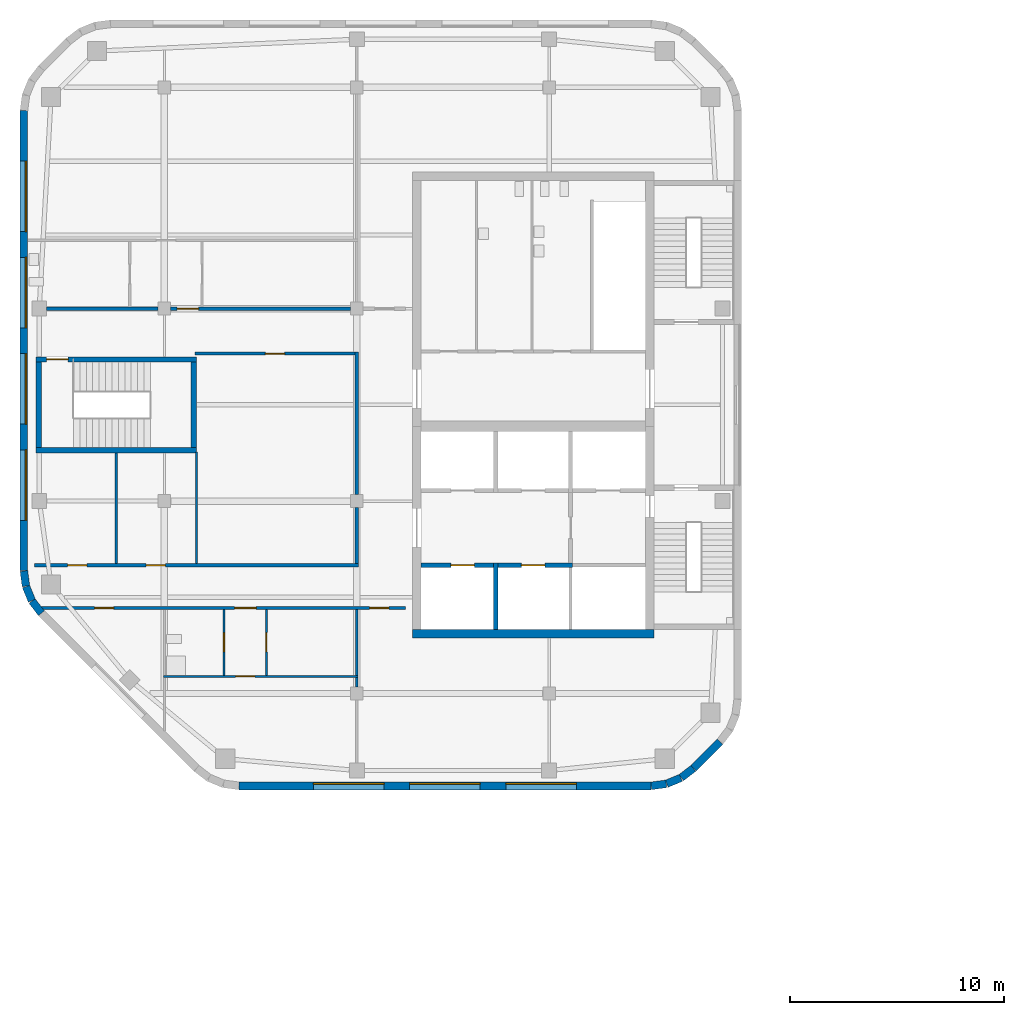
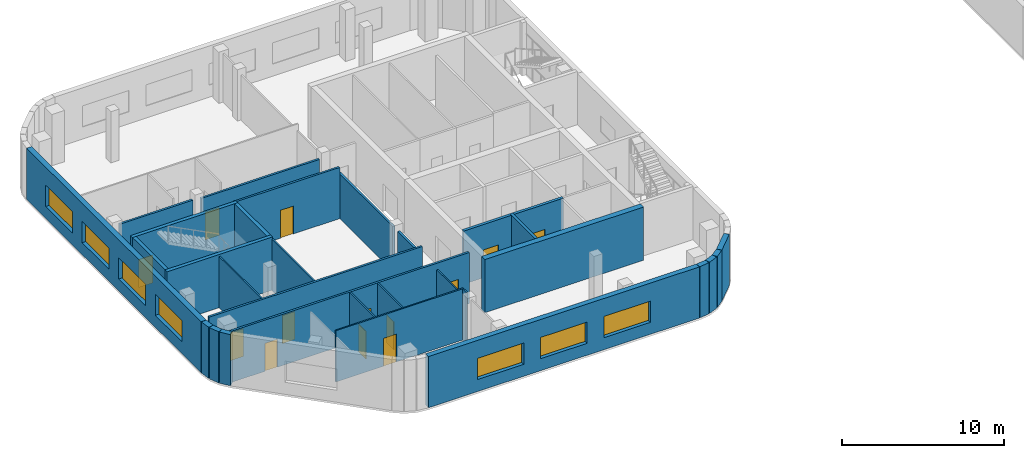
# One storey, part 5 of 14: 31 walls, 13 doors, 7 windows, 20 openings.
"""IFC4 building model written with IfcOpenShell, lengths in metres."""

from ifc_helpers import new_model, si_unit, direction, frame, frame_2d, origin, place, context, subcontext, project, spatial, rectangle, extrude, material, layer, layer_set, type_object, element, fill, save


model = new_model("IFC4")

# Units and contexts
model_context = context("Model", 3, precision=1e-05, world=origin(), true_north=direction((0.0, 1.0)))
body_context = subcontext(model_context, "Body", "Model", "MODEL_VIEW")
ifc_project = project(units=[si_unit("LENGTHUNIT", "METRE"), si_unit("AREAUNIT", "SQUARE_METRE"), si_unit("VOLUMEUNIT", "CUBIC_METRE"), si_unit("PLANEANGLEUNIT", "RADIAN"), si_unit("MASSUNIT", "GRAM", prefix="KILO")], contexts=[model_context])

# Site, building, storey
site_placement = place(None, origin())
site = spatial("IfcSite", under=ifc_project, at=site_placement, CompositionType="ELEMENT")
building_placement = place(site_placement, origin())
building = spatial("IfcBuilding", under=site, at=building_placement, Name="Cinnabar Reach Civic Tower", CompositionType="ELEMENT")
storey_placement = place(building_placement, frame((0.0, 0.0, 128.0)))
storey = spatial("IfcBuildingStorey", under=building, at=storey_placement, Name="L30", CompositionType="ELEMENT", Elevation=128.0)

# Walls
ifc_material_1 = material(Name="Facing brick with insulated backing", Category="masonry")
ifc_layer_1 = layer(ifc_material_1, 0.36)
ifc_layer_set_1 = layer_set([ifc_layer_1], Name="Brick corner wall")
wall_type_1 = type_object("IfcWallType", Name="Brick corner wall", PredefinedType="STANDARD", material=ifc_layer_set_1)
for number, where, z_axis, x_axis, name in (
    (1, (-31.2314, 13.683, 0.0), (0.0, 0.0, 1.0), (0.99144092581, 0.13055608231, 0.0), "Brick corner wall"),
    (2, (-30.5027, 13.7819, 0.0), (0.0, 0.0, 1.0), (0.923871547278, 0.382702709855, 0.0), "Brick corner wall"),
):
    element("IfcWall", number, at=place(storey_placement, frame(where, z_axis=z_axis, x_axis=x_axis)), inside=storey, type_object=wall_type_1, Name=name, PredefinedType="STANDARD", context=body_context, shape_type="SweptSolid", body=[
        extrude(rectangle(XDim=0.7131, YDim=0.36, at=frame_2d((0.3565, 0.0))), origin(), (0.0, 0.0, 1.0), 3.85),
    ])
wall_1_placement = place(storey_placement, frame((-29.8245, 14.066, 0.0), z_axis=(0.0, 0.0, 1.0), x_axis=(0.793321924995, 0.608802368033, 0.0)))
element("IfcWall", 3, at=wall_1_placement, inside=storey, type_object=wall_type_1, Name="Brick corner wall", PredefinedType="STANDARD", context=body_context, shape_type="SweptSolid", body=[
    extrude(rectangle(XDim=0.7132, YDim=0.36, at=frame_2d((0.3566, 0.0))), origin(), (0.0, 0.0, 1.0), 3.85),
])
for number, where, z_axis, x_axis, name in (
    (4, (-60.567, 23.7314, 0.0), (0.0, 0.0, 1.0), (0.13055608231, -0.99144092581, 0.0), "Brick corner wall"),
    (5, (-60.4681, 23.0027, 0.0), (0.0, 0.0, 1.0), (0.382702709855, -0.923871547278, 0.0), "Brick corner wall"),
):
    element("IfcWall", number, at=place(storey_placement, frame(where, z_axis=z_axis, x_axis=x_axis)), inside=storey, type_object=wall_type_1, Name=name, PredefinedType="STANDARD", context=body_context, shape_type="SweptSolid", body=[
        extrude(rectangle(XDim=0.7131, YDim=0.36, at=frame_2d((0.3565, 0.0))), origin(), (0.0, 0.0, 1.0), 3.85),
    ])
wall_2_placement = place(storey_placement, frame((-60.184, 22.3245, 0.0), z_axis=(0.0, 0.0, 1.0), x_axis=(0.608802368033, -0.793321924995, 0.0)))
element("IfcWall", 6, at=wall_2_placement, inside=storey, type_object=wall_type_1, Name="Brick corner wall", PredefinedType="STANDARD", context=body_context, shape_type="SweptSolid", body=[
    extrude(rectangle(XDim=0.7132, YDim=0.36, at=frame_2d((0.3566, 0.0))), origin(), (0.0, 0.0, 1.0), 3.85),
])

# Wall, openings, windows
ifc_layer_2 = layer(ifc_material_1, 0.36)
ifc_layer_set_2 = layer_set([ifc_layer_2], Name="Brick pier and spandrel wall")
wall_type_2 = type_object("IfcWallType", Name="Brick pier and spandrel wall", PredefinedType="STANDARD", material=ifc_layer_set_2)
wall_3_placement = place(storey_placement, frame((-50.5074, 13.68, 0.0), z_axis=(0.0, 0.0, 1.0), x_axis=(1.0, 0.0, 0.0)))
wall_3 = element("IfcWall", 7, at=wall_3_placement, inside=storey, type_object=wall_type_2, Name="Brick facade wall", PredefinedType="STANDARD", context=body_context, shape_type="SweptSolid", body=[
    extrude(rectangle(XDim=19.2648, YDim=0.36, at=frame_2d((9.6324, 0.0))), origin(), (0.0, 0.0, 1.0), 3.85),
])
opening_1_placement = place(wall_3_placement, frame((3.4824, 0.0, 0.9)))
opening_1 = element("IfcOpeningElement", 8, at=opening_1_placement, cuts=wall_3, Name="Opening W2765", PredefinedType="OPENING", context=body_context, shape_type="SweptSolid", body=[
    extrude(rectangle(XDim=3.3, YDim=1.6, at=frame_2d((1.65, 0.8))), frame((0.0, 0.19, 0.0), z_axis=(0.0, -1.0, 0.0), x_axis=(1.0, 0.0, 0.0)), (0.0, 0.0, 1.0), 0.38),
])
opening_2_placement = place(wall_3_placement, frame((7.9824, 0.0, 0.9)))
opening_2 = element("IfcOpeningElement", 9, at=opening_2_placement, cuts=wall_3, Name="Opening W2766", PredefinedType="OPENING", context=body_context, shape_type="SweptSolid", body=[
    extrude(rectangle(XDim=3.3, YDim=1.6, at=frame_2d((1.65, 0.8))), frame((0.0, 0.19, 0.0), z_axis=(0.0, -1.0, 0.0), x_axis=(1.0, 0.0, 0.0)), (0.0, 0.0, 1.0), 0.38),
])
opening_3_placement = place(wall_3_placement, frame((12.4824, 0.0, 0.9)))
opening_3 = element("IfcOpeningElement", 10, at=opening_3_placement, cuts=wall_3, Name="Opening W2767", PredefinedType="OPENING", context=body_context, shape_type="SweptSolid", body=[
    extrude(rectangle(XDim=3.3, YDim=1.6, at=frame_2d((1.65, 0.8))), frame((0.0, 0.19, 0.0), z_axis=(0.0, -1.0, 0.0), x_axis=(1.0, 0.0, 0.0)), (0.0, 0.0, 1.0), 0.38),
])
ifc_material_2 = material(Name="Clear double glazing in aluminium frame", Category="aluminium")
window_type = type_object("IfcWindowType", Name="Deep-set window A", PartitioningType="SINGLE_PANEL", PredefinedType="WINDOW", material=ifc_material_2)
window_1_placement = place(opening_1_placement, origin())
window_1 = element("IfcWindow", 11, at=window_1_placement, inside=storey, type_object=window_type, Name="Window south face", OverallHeight=1.6, OverallWidth=3.3, PartitioningType="SINGLE_PANEL", PredefinedType="WINDOW", context=body_context, shape_type="SweptSolid", body=[
    extrude(rectangle(XDim=3.3, YDim=1.6, at=frame_2d((1.65, 0.8))), frame((0.0, 0.13, 0.0), z_axis=(0.0, -1.0, 0.0), x_axis=(1.0, 0.0, 0.0)), (0.0, 0.0, 1.0), 0.06),
])
fill(opening_1, window_1)
window_2_placement = place(opening_2_placement, origin())
window_2 = element("IfcWindow", 12, at=window_2_placement, inside=storey, type_object=window_type, Name="Window south face", OverallHeight=1.6, OverallWidth=3.3, PartitioningType="SINGLE_PANEL", PredefinedType="WINDOW", context=body_context, shape_type="SweptSolid", body=[
    extrude(rectangle(XDim=3.3, YDim=1.6, at=frame_2d((1.65, 0.8))), frame((0.0, 0.13, 0.0), z_axis=(0.0, -1.0, 0.0), x_axis=(1.0, 0.0, 0.0)), (0.0, 0.0, 1.0), 0.06),
])
fill(opening_2, window_2)
window_3_placement = place(opening_3_placement, origin())
window_3 = element("IfcWindow", 13, at=window_3_placement, inside=storey, type_object=window_type, Name="Window south face", OverallHeight=1.6, OverallWidth=3.3, PartitioningType="SINGLE_PANEL", PredefinedType="WINDOW", context=body_context, shape_type="SweptSolid", body=[
    extrude(rectangle(XDim=3.3, YDim=1.6, at=frame_2d((1.65, 0.8))), frame((0.0, 0.13, 0.0), z_axis=(0.0, -1.0, 0.0), x_axis=(1.0, 0.0, 0.0)), (0.0, 0.0, 1.0), 0.06),
])
fill(opening_3, window_3)

# Wall
wall_4_placement = place(storey_placement, frame((-29.2486, 14.506, 0.0), z_axis=(0.0, 0.0, 1.0), x_axis=(0.707106781187, 0.707106781187, 0.0)))
element("IfcWall", 14, at=wall_4_placement, inside=storey, type_object=wall_type_2, Name="Brick facade wall", PredefinedType="STANDARD", context=body_context, shape_type="SweptSolid", body=[
    extrude(rectangle(XDim=1.7573, YDim=0.36, at=frame_2d((0.8787, 0.0))), origin(), (0.0, 0.0, 1.0), 3.85),
])

# Wall, openings, windows
wall_5_placement = place(storey_placement, frame((-60.57, 45.2574, 0.0), z_axis=(0.0, 0.0, 1.0), x_axis=(0.0, -1.0, 0.0)))
wall_5 = element("IfcWall", 15, at=wall_5_placement, inside=storey, type_object=wall_type_2, Name="Brick facade wall", PredefinedType="STANDARD", context=body_context, shape_type="SweptSolid", body=[
    extrude(rectangle(XDim=21.5148, YDim=0.36, at=frame_2d((10.7574, 0.0))), origin(), (0.0, 0.0, 1.0), 3.85),
])
opening_4_placement = place(wall_5_placement, frame((2.3574, 0.0, 0.9)))
opening_4 = element("IfcOpeningElement", 16, at=opening_4_placement, cuts=wall_5, Name="Opening W2774", PredefinedType="OPENING", context=body_context, shape_type="SweptSolid", body=[
    extrude(rectangle(XDim=3.3, YDim=1.6, at=frame_2d((1.65, 0.8))), frame((0.0, 0.19, 0.0), z_axis=(0.0, -1.0, 0.0), x_axis=(1.0, 0.0, 0.0)), (0.0, 0.0, 1.0), 0.38),
])
opening_5_placement = place(wall_5_placement, frame((6.8574, 0.0, 0.9)))
opening_5 = element("IfcOpeningElement", 17, at=opening_5_placement, cuts=wall_5, Name="Opening W2775", PredefinedType="OPENING", context=body_context, shape_type="SweptSolid", body=[
    extrude(rectangle(XDim=3.3, YDim=1.6, at=frame_2d((1.65, 0.8))), frame((0.0, 0.19, 0.0), z_axis=(0.0, -1.0, 0.0), x_axis=(1.0, 0.0, 0.0)), (0.0, 0.0, 1.0), 0.38),
])
opening_6_placement = place(wall_5_placement, frame((11.3574, 0.0, 0.9)))
opening_6 = element("IfcOpeningElement", 18, at=opening_6_placement, cuts=wall_5, Name="Opening W2776", PredefinedType="OPENING", context=body_context, shape_type="SweptSolid", body=[
    extrude(rectangle(XDim=3.3, YDim=1.6, at=frame_2d((1.65, 0.8))), frame((0.0, 0.19, 0.0), z_axis=(0.0, -1.0, 0.0), x_axis=(1.0, 0.0, 0.0)), (0.0, 0.0, 1.0), 0.38),
])
opening_7_placement = place(wall_5_placement, frame((15.8574, 0.0, 0.9)))
opening_7 = element("IfcOpeningElement", 19, at=opening_7_placement, cuts=wall_5, Name="Opening W2777", PredefinedType="OPENING", context=body_context, shape_type="SweptSolid", body=[
    extrude(rectangle(XDim=3.3, YDim=1.6, at=frame_2d((1.65, 0.8))), frame((0.0, 0.19, 0.0), z_axis=(0.0, -1.0, 0.0), x_axis=(1.0, 0.0, 0.0)), (0.0, 0.0, 1.0), 0.38),
])
window_4_placement = place(opening_4_placement, origin())
window_4 = element("IfcWindow", 20, at=window_4_placement, inside=storey, type_object=window_type, Name="Window west face", OverallHeight=1.6, OverallWidth=3.3, PartitioningType="SINGLE_PANEL", PredefinedType="WINDOW", context=body_context, shape_type="SweptSolid", body=[
    extrude(rectangle(XDim=3.3, YDim=1.6, at=frame_2d((1.65, 0.8))), frame((0.0, 0.13, 0.0), z_axis=(0.0, -1.0, 0.0), x_axis=(1.0, 0.0, 0.0)), (0.0, 0.0, 1.0), 0.06),
])
fill(opening_4, window_4)
window_5_placement = place(opening_5_placement, origin())
window_5 = element("IfcWindow", 21, at=window_5_placement, inside=storey, type_object=window_type, Name="Window west face", OverallHeight=1.6, OverallWidth=3.3, PartitioningType="SINGLE_PANEL", PredefinedType="WINDOW", context=body_context, shape_type="SweptSolid", body=[
    extrude(rectangle(XDim=3.3, YDim=1.6, at=frame_2d((1.65, 0.8))), frame((0.0, 0.13, 0.0), z_axis=(0.0, -1.0, 0.0), x_axis=(1.0, 0.0, 0.0)), (0.0, 0.0, 1.0), 0.06),
])
fill(opening_5, window_5)
window_6_placement = place(opening_6_placement, origin())
window_6 = element("IfcWindow", 22, at=window_6_placement, inside=storey, type_object=window_type, Name="Window west face", OverallHeight=1.6, OverallWidth=3.3, PartitioningType="SINGLE_PANEL", PredefinedType="WINDOW", context=body_context, shape_type="SweptSolid", body=[
    extrude(rectangle(XDim=3.3, YDim=1.6, at=frame_2d((1.65, 0.8))), frame((0.0, 0.13, 0.0), z_axis=(0.0, -1.0, 0.0), x_axis=(1.0, 0.0, 0.0)), (0.0, 0.0, 1.0), 0.06),
])
fill(opening_6, window_6)
window_7_placement = place(opening_7_placement, origin())
window_7 = element("IfcWindow", 23, at=window_7_placement, inside=storey, type_object=window_type, Name="Window west face", OverallHeight=1.6, OverallWidth=3.3, PartitioningType="SINGLE_PANEL", PredefinedType="WINDOW", context=body_context, shape_type="SweptSolid", body=[
    extrude(rectangle(XDim=3.3, YDim=1.6, at=frame_2d((1.65, 0.8))), frame((0.0, 0.13, 0.0), z_axis=(0.0, -1.0, 0.0), x_axis=(1.0, 0.0, 0.0)), (0.0, 0.0, 1.0), 0.06),
])
fill(opening_7, window_7)

# Wall
ifc_material_3 = material(Name="Concrete C60", Category="concrete")
ifc_layer_3 = layer(ifc_material_3, 0.4)
ifc_layer_set_3 = layer_set([ifc_layer_3], Name="Core wall 400 EI 180")
wall_type_3 = type_object("IfcWallType", Name="Core wall 400 EI 180", PredefinedType="SOLIDWALL", material=ifc_layer_set_3)
wall_6_placement = place(storey_placement, frame((-42.4, 20.8, 0.0), z_axis=(0.0, 0.0, 1.0), x_axis=(1.0, 0.0, 0.0)))
element("IfcWall", 24, at=wall_6_placement, inside=storey, type_object=wall_type_3, Name="Core wall T2 L30 S", PredefinedType="SOLIDWALL", context=body_context, shape_type="SweptSolid", body=[
    extrude(rectangle(XDim=11.3, YDim=0.4, at=frame_2d((5.65, 0.0))), origin(), (0.0, 0.0, 1.0), 4.0),
])

# Wall, opening, door
ifc_material_4 = material(Name="Gypsum board on steel studs, double layer", Category="steel")
ifc_layer_4 = layer(ifc_material_4, 0.15)
ifc_layer_set_4 = layer_set([ifc_layer_4], Name="Corridor wall 150 T2")
wall_type_4 = type_object("IfcWallType", Name="Corridor wall 150 T2", PredefinedType="PARTITIONING", material=ifc_layer_set_4)
wall_7_placement = place(storey_placement, frame((-53.7, 36.0, 0.0), z_axis=(0.0, 0.0, 1.0), x_axis=(1.0, 0.0, 0.0)))
wall_7 = element("IfcWall", 25, at=wall_7_placement, inside=storey, type_object=wall_type_4, Name="Corridor wall 2", PredefinedType="PARTITIONING", context=body_context, shape_type="SweptSolid", body=[
    extrude(rectangle(XDim=8.4, YDim=0.15, at=frame_2d((4.2, 0.0))), origin(), (0.0, 0.0, 1.0), 3.262),
])
opening_8_placement = place(wall_7_placement, frame((0.3, 0.0, 0.0)))
opening_8 = element("IfcOpeningElement", 26, at=opening_8_placement, cuts=wall_7, Name="Opening D7094", PredefinedType="OPENING", context=body_context, shape_type="SweptSolid", body=[
    extrude(rectangle(XDim=1.0, YDim=2.1, at=frame_2d((0.5, 1.05))), frame((0.0, 0.085, 0.0), z_axis=(0.0, -1.0, 0.0), x_axis=(1.0, 0.0, 0.0)), (0.0, 0.0, 1.0), 0.17),
])
ifc_material_5 = material(Name="Timber door leaf in steel frame", Category="steel")
door_type_1 = type_object("IfcDoorType", Name="Tenancy entrance door 1000 x 2100 T2", OperationType="SINGLE_SWING_LEFT", PredefinedType="DOOR", material=ifc_material_5)
door_1_placement = place(opening_8_placement, origin())
door_1 = element("IfcDoor", 27, at=door_1_placement, inside=storey, type_object=door_type_1, Name="Door D7094", OperationType="SINGLE_SWING_RIGHT", OverallHeight=2.1, OverallWidth=1.0, PredefinedType="DOOR", context=body_context, shape_type="SweptSolid", body=[
    extrude(rectangle(XDim=1.0, YDim=2.1, at=frame_2d((0.5, 1.05))), frame((0.0, 0.025, 0.0), z_axis=(0.0, -1.0, 0.0), x_axis=(1.0, 0.0, 0.0)), (0.0, 0.0, 1.0), 0.05),
])
fill(opening_8, door_1)

# Wall
wall_8_placement = place(storey_placement, frame((-59.5, 36.0, 0.0), z_axis=(0.0, 0.0, 1.0), x_axis=(1.0, 0.0, 0.0)))
element("IfcWall", 28, at=wall_8_placement, inside=storey, type_object=wall_type_4, Name="Corridor wall 3", PredefinedType="PARTITIONING", context=body_context, shape_type="SweptSolid", body=[
    extrude(rectangle(XDim=5.2, YDim=0.15, at=frame_2d((2.6, 0.0))), origin(), (0.0, 0.0, 1.0), 3.35),
])

# Wall, openings, doors
wall_9_placement = place(storey_placement, frame((-59.7657, 22.0, 0.0), z_axis=(0.0, 0.0, 1.0), x_axis=(1.0, 0.0, 0.0)))
wall_9 = element("IfcWall", 29, at=wall_9_placement, inside=storey, type_object=wall_type_4, Name="Corridor wall 4", PredefinedType="PARTITIONING", context=body_context, shape_type="SweptSolid", body=[
    extrude(rectangle(XDim=17.0407, YDim=0.15, at=frame_2d((8.5204, 0.0))), origin(), (0.0, 0.0, 1.0), 3.85),
])
opening_9_placement = place(wall_9_placement, frame((15.3657, 0.0, 0.0)))
opening_9 = element("IfcOpeningElement", 30, at=opening_9_placement, cuts=wall_9, Name="Opening D7085", PredefinedType="OPENING", context=body_context, shape_type="SweptSolid", body=[
    extrude(rectangle(XDim=0.9, YDim=2.1, at=frame_2d((0.45, 1.05))), frame((0.0, 0.085, 0.0), z_axis=(0.0, -1.0, 0.0), x_axis=(1.0, 0.0, 0.0)), (0.0, 0.0, 1.0), 0.17),
])
opening_10_placement = place(wall_9_placement, frame((2.5, 0.0, 0.0)))
opening_10 = element("IfcOpeningElement", 31, at=opening_10_placement, cuts=wall_9, Name="Opening D7086", PredefinedType="OPENING", context=body_context, shape_type="SweptSolid", body=[
    extrude(rectangle(XDim=0.9, YDim=2.1, at=frame_2d((0.45, 1.05))), frame((0.0, 0.085, 0.0), z_axis=(0.0, -1.0, 0.0), x_axis=(1.0, 0.0, 0.0)), (0.0, 0.0, 1.0), 0.17),
])
opening_11_placement = place(wall_9_placement, frame((9.0557, 0.0, 0.0)))
opening_11 = element("IfcOpeningElement", 32, at=opening_11_placement, cuts=wall_9, Name="Opening D7090", PredefinedType="OPENING", context=body_context, shape_type="SweptSolid", body=[
    extrude(rectangle(XDim=1.0, YDim=2.1, at=frame_2d((0.5, 1.05))), frame((0.0, 0.085, 0.0), z_axis=(0.0, -1.0, 0.0), x_axis=(1.0, 0.0, 0.0)), (0.0, 0.0, 1.0), 0.17),
])
door_type_2 = type_object("IfcDoorType", Name="Single swing door 900 x 2100 T2", OperationType="SINGLE_SWING_LEFT", PredefinedType="DOOR", material=ifc_material_5)
door_2_placement = place(opening_9_placement, frame((0.9, 0.0, 0.0), z_axis=(0.0, 0.0, 1.0), x_axis=(-1.0, 0.0, 0.0)))
door_2 = element("IfcDoor", 33, at=door_2_placement, inside=storey, type_object=door_type_2, Name="Door D7085", OperationType="SINGLE_SWING_RIGHT", OverallHeight=2.1, OverallWidth=0.9, PredefinedType="DOOR", context=body_context, shape_type="SweptSolid", body=[
    extrude(rectangle(XDim=0.9, YDim=2.1, at=frame_2d((0.45, 1.05))), frame((0.0, 0.025, 0.0), z_axis=(0.0, -1.0, 0.0), x_axis=(1.0, 0.0, 0.0)), (0.0, 0.0, 1.0), 0.05),
])
fill(opening_9, door_2)
door_3_placement = place(opening_10_placement, frame((0.9, 0.0, 0.0), z_axis=(0.0, 0.0, 1.0), x_axis=(-1.0, 0.0, 0.0)))
door_3 = element("IfcDoor", 34, at=door_3_placement, inside=storey, type_object=door_type_2, Name="Door D7086", OperationType="SINGLE_SWING_RIGHT", OverallHeight=2.1, OverallWidth=0.9, PredefinedType="DOOR", context=body_context, shape_type="SweptSolid", body=[
    extrude(rectangle(XDim=0.9, YDim=2.1, at=frame_2d((0.45, 1.05))), frame((0.0, 0.025, 0.0), z_axis=(0.0, -1.0, 0.0), x_axis=(1.0, 0.0, 0.0)), (0.0, 0.0, 1.0), 0.05),
])
fill(opening_10, door_3)
door_4_placement = place(opening_11_placement, frame((1.0, 0.0, 0.0), z_axis=(0.0, 0.0, 1.0), x_axis=(-1.0, 0.0, 0.0)))
door_4 = element("IfcDoor", 35, at=door_4_placement, inside=storey, type_object=door_type_1, Name="Door D7090", OperationType="SINGLE_SWING_LEFT", OverallHeight=2.1, OverallWidth=1.0, PredefinedType="DOOR", context=body_context, shape_type="SweptSolid", body=[
    extrude(rectangle(XDim=1.0, YDim=2.1, at=frame_2d((0.5, 1.05))), frame((0.0, 0.025, 0.0), z_axis=(0.0, -1.0, 0.0), x_axis=(1.0, 0.0, 0.0)), (0.0, 0.0, 1.0), 0.05),
])
fill(opening_11, door_4)

wall_10_placement = place(storey_placement, frame((-60.075, 24.0, 0.0), z_axis=(0.0, 0.0, 1.0), x_axis=(1.0, 0.0, 0.0)))
wall_10 = element("IfcWall", 36, at=wall_10_placement, inside=storey, type_object=wall_type_4, Name="Corridor wall 5", PredefinedType="PARTITIONING", context=body_context, shape_type="SweptSolid", body=[
    extrude(rectangle(XDim=15.15, YDim=0.15, at=frame_2d((7.575, 0.0))), origin(), (0.0, 0.0, 1.0), 3.85),
])
opening_12_placement = place(wall_10_placement, frame((1.55, 0.0, 0.0)))
opening_12 = element("IfcOpeningElement", 37, at=opening_12_placement, cuts=wall_10, Name="Opening D7095", PredefinedType="OPENING", context=body_context, shape_type="SweptSolid", body=[
    extrude(rectangle(XDim=0.9, YDim=2.1, at=frame_2d((0.45, 1.05))), frame((0.0, 0.085, 0.0), z_axis=(0.0, -1.0, 0.0), x_axis=(1.0, 0.0, 0.0)), (0.0, 0.0, 1.0), 0.17),
])
opening_13_placement = place(wall_10_placement, frame((5.225, 0.0, 0.0)))
opening_13 = element("IfcOpeningElement", 38, at=opening_13_placement, cuts=wall_10, Name="Opening D7096", PredefinedType="OPENING", context=body_context, shape_type="SweptSolid", body=[
    extrude(rectangle(XDim=0.9, YDim=2.1, at=frame_2d((0.45, 1.05))), frame((0.0, 0.085, 0.0), z_axis=(0.0, -1.0, 0.0), x_axis=(1.0, 0.0, 0.0)), (0.0, 0.0, 1.0), 0.17),
])
door_5_placement = place(opening_12_placement, origin())
door_5 = element("IfcDoor", 39, at=door_5_placement, inside=storey, type_object=door_type_2, Name="Door D7095", OperationType="SINGLE_SWING_LEFT", OverallHeight=2.1, OverallWidth=0.9, PredefinedType="DOOR", context=body_context, shape_type="SweptSolid", body=[
    extrude(rectangle(XDim=0.9, YDim=2.1, at=frame_2d((0.45, 1.05))), frame((0.0, 0.025, 0.0), z_axis=(0.0, -1.0, 0.0), x_axis=(1.0, 0.0, 0.0)), (0.0, 0.0, 1.0), 0.05),
])
fill(opening_12, door_5)
door_6_placement = place(opening_13_placement, origin())
door_6 = element("IfcDoor", 40, at=door_6_placement, inside=storey, type_object=door_type_2, Name="Door D7096", OperationType="SINGLE_SWING_LEFT", OverallHeight=2.1, OverallWidth=0.9, PredefinedType="DOOR", context=body_context, shape_type="SweptSolid", body=[
    extrude(rectangle(XDim=0.9, YDim=2.1, at=frame_2d((0.45, 1.05))), frame((0.0, 0.025, 0.0), z_axis=(0.0, -1.0, 0.0), x_axis=(1.0, 0.0, 0.0)), (0.0, 0.0, 1.0), 0.05),
])
fill(opening_13, door_6)

# Walls
wall_11_placement = place(storey_placement, frame((-45.0, 24.075, 0.0), z_axis=(0.0, 0.0, 1.0), x_axis=(0.0, 1.0, 0.0)))
element("IfcWall", 41, at=wall_11_placement, inside=storey, type_object=wall_type_4, Name="Corridor wall 6", PredefinedType="PARTITIONING", context=body_context, shape_type="SweptSolid", body=[
    extrude(rectangle(XDim=2.625, YDim=0.15, at=frame_2d((1.3125, 0.0))), origin(), (0.0, 0.0, 1.0), 3.362),
])
wall_12_placement = place(storey_placement, frame((-45.0, 27.3, 0.0), z_axis=(0.0, 0.0, 1.0), x_axis=(0.0, 1.0, 0.0)))
element("IfcWall", 42, at=wall_12_placement, inside=storey, type_object=wall_type_4, Name="Corridor wall 7", PredefinedType="PARTITIONING", context=body_context, shape_type="SweptSolid", body=[
    extrude(rectangle(XDim=6.675, YDim=0.15, at=frame_2d((3.3375, 0.0))), origin(), (0.0, 0.0, 1.0), 3.362),
])

# Wall, opening, door
wall_13_placement = place(storey_placement, frame((-52.575, 33.9, 0.0), z_axis=(0.0, 0.0, 1.0), x_axis=(1.0, 0.0, 0.0)))
wall_13 = element("IfcWall", 43, at=wall_13_placement, inside=storey, type_object=wall_type_4, Name="Corridor wall 8", PredefinedType="PARTITIONING", context=body_context, shape_type="SweptSolid", body=[
    extrude(rectangle(XDim=7.5, YDim=0.15, at=frame_2d((3.75, 0.0))), origin(), (0.0, 0.0, 1.0), 3.85),
])
opening_14_placement = place(wall_13_placement, frame((3.3, 0.0, 0.0)))
opening_14 = element("IfcOpeningElement", 44, at=opening_14_placement, cuts=wall_13, Name="Opening D7097", PredefinedType="OPENING", context=body_context, shape_type="SweptSolid", body=[
    extrude(rectangle(XDim=0.9, YDim=2.1, at=frame_2d((0.45, 1.05))), frame((0.0, 0.085, 0.0), z_axis=(0.0, -1.0, 0.0), x_axis=(1.0, 0.0, 0.0)), (0.0, 0.0, 1.0), 0.17),
])
door_7_placement = place(opening_14_placement, frame((0.9, 0.0, 0.0), z_axis=(0.0, 0.0, 1.0), x_axis=(-1.0, 0.0, 0.0)))
door_7 = element("IfcDoor", 45, at=door_7_placement, inside=storey, type_object=door_type_2, Name="Door D7097", OperationType="SINGLE_SWING_LEFT", OverallHeight=2.1, OverallWidth=0.9, PredefinedType="DOOR", context=body_context, shape_type="SweptSolid", body=[
    extrude(rectangle(XDim=0.9, YDim=2.1, at=frame_2d((0.45, 1.05))), frame((0.0, 0.025, 0.0), z_axis=(0.0, -1.0, 0.0), x_axis=(1.0, 0.0, 0.0)), (0.0, 0.0, 1.0), 0.05),
])
fill(opening_14, door_7)

ifc_material_6 = material(Name="Gypsum board on steel studs", Category="steel")
ifc_layer_5 = layer(ifc_material_6, 0.1)
ifc_layer_set_5 = layer_set([ifc_layer_5], Name="Partition wall 100 T2")
wall_type_5 = type_object("IfcWallType", Name="Partition wall 100 T2", PredefinedType="PARTITIONING", material=ifc_layer_set_5)
wall_14_placement = place(storey_placement, frame((-54.05, 18.8, 0.0), z_axis=(0.0, 0.0, 1.0), x_axis=(1.0, 0.0, 0.0)))
wall_14 = element("IfcWall", 46, at=wall_14_placement, inside=storey, type_object=wall_type_5, Name="Partition wall 13", PredefinedType="PARTITIONING", context=body_context, shape_type="SweptSolid", body=[
    extrude(rectangle(XDim=9.1, YDim=0.1, at=frame_2d((4.55, 0.0))), origin(), (0.0, 0.0, 1.0), 3.85),
])
opening_15_placement = place(wall_14_placement, frame((3.39, 0.0, 0.0)))
opening_15 = element("IfcOpeningElement", 47, at=opening_15_placement, cuts=wall_14, Name="Opening D7089", PredefinedType="OPENING", context=body_context, shape_type="SweptSolid", body=[
    extrude(rectangle(XDim=0.9, YDim=2.1, at=frame_2d((0.45, 1.05))), frame((0.0, 0.06, 0.0), z_axis=(0.0, -1.0, 0.0), x_axis=(1.0, 0.0, 0.0)), (0.0, 0.0, 1.0), 0.12),
])
door_8_placement = place(opening_15_placement, origin())
door_8 = element("IfcDoor", 48, at=door_8_placement, inside=storey, type_object=door_type_2, Name="Door D7089", OperationType="SINGLE_SWING_RIGHT", OverallHeight=2.1, OverallWidth=0.9, PredefinedType="DOOR", context=body_context, shape_type="SweptSolid", body=[
    extrude(rectangle(XDim=0.9, YDim=2.1, at=frame_2d((0.45, 1.05))), frame((0.0, 0.025, 0.0), z_axis=(0.0, -1.0, 0.0), x_axis=(1.0, 0.0, 0.0)), (0.0, 0.0, 1.0), 0.05),
])
fill(opening_15, door_8)

# Walls
wall_15_placement = place(storey_placement, frame((-45.0, 18.85, 0.0), z_axis=(0.0, 0.0, 1.0), x_axis=(0.0, 1.0, 0.0)))
element("IfcWall", 49, at=wall_15_placement, inside=storey, type_object=wall_type_5, Name="Partition wall 14", PredefinedType="PARTITIONING", context=body_context, shape_type="SweptSolid", body=[
    extrude(rectangle(XDim=3.075, YDim=0.1, at=frame_2d((1.5375, 0.0))), origin(), (0.0, 0.0, 1.0), 3.362),
])
wall_16_placement = place(storey_placement, frame((-45.0, 18.3, 0.0), z_axis=(0.0, 0.0, 1.0), x_axis=(0.0, 1.0, 0.0)))
element("IfcWall", 50, at=wall_16_placement, inside=storey, type_object=wall_type_5, Name="Partition wall 15", PredefinedType="PARTITIONING", context=body_context, shape_type="SweptSolid", body=[
    extrude(rectangle(XDim=0.45, YDim=0.1, at=frame_2d((0.225, 0.0))), origin(), (0.0, 0.0, 1.0), 3.85),
])
wall_17_placement = place(storey_placement, frame((-56.25, 24.075, 0.0), z_axis=(0.0, 0.0, 1.0), x_axis=(0.0, 1.0, 0.0)))
element("IfcWall", 51, at=wall_17_placement, inside=storey, type_object=wall_type_5, Name="Partition wall 19", PredefinedType="PARTITIONING", context=body_context, shape_type="SweptSolid", body=[
    extrude(rectangle(XDim=5.175, YDim=0.1, at=frame_2d((2.5875, 0.0))), origin(), (0.0, 0.0, 1.0), 3.85),
])
wall_18_placement = place(storey_placement, frame((-52.5, 24.075, 0.0), z_axis=(0.0, 0.0, 1.0), x_axis=(0.0, 1.0, 0.0)))
element("IfcWall", 52, at=wall_18_placement, inside=storey, type_object=wall_type_5, Name="Partition wall 20", PredefinedType="PARTITIONING", context=body_context, shape_type="SweptSolid", body=[
    extrude(rectangle(XDim=5.225, YDim=0.1, at=frame_2d((2.6125, 0.0))), origin(), (0.0, 0.0, 1.0), 3.85),
])

# Wall, opening, door
wall_19_placement = place(storey_placement, frame((-51.21, 18.85, 0.0), z_axis=(0.0, 0.0, 1.0), x_axis=(0.0, 1.0, 0.0)))
wall_19 = element("IfcWall", 53, at=wall_19_placement, inside=storey, type_object=wall_type_5, Name="Partition wall 23", PredefinedType="PARTITIONING", context=body_context, shape_type="SweptSolid", body=[
    extrude(rectangle(XDim=3.075, YDim=0.1, at=frame_2d((1.5375, 0.0))), origin(), (0.0, 0.0, 1.0), 3.85),
])
opening_16_placement = place(wall_19_placement, frame((1.1, 0.0, 0.0)))
opening_16 = element("IfcOpeningElement", 54, at=opening_16_placement, cuts=wall_19, Name="Opening D7087", PredefinedType="OPENING", context=body_context, shape_type="SweptSolid", body=[
    extrude(rectangle(XDim=0.9, YDim=2.1, at=frame_2d((0.45, 1.05))), frame((0.0, 0.06, 0.0), z_axis=(0.0, -1.0, 0.0), x_axis=(1.0, 0.0, 0.0)), (0.0, 0.0, 1.0), 0.12),
])
door_9_placement = place(opening_16_placement, origin())
door_9 = element("IfcDoor", 55, at=door_9_placement, inside=storey, type_object=door_type_2, Name="Door D7087", OperationType="SINGLE_SWING_LEFT", OverallHeight=2.1, OverallWidth=0.9, PredefinedType="DOOR", context=body_context, shape_type="SweptSolid", body=[
    extrude(rectangle(XDim=0.9, YDim=2.1, at=frame_2d((0.45, 1.05))), frame((0.0, 0.025, 0.0), z_axis=(0.0, -1.0, 0.0), x_axis=(1.0, 0.0, 0.0)), (0.0, 0.0, 1.0), 0.05),
])
fill(opening_16, door_9)

wall_20_placement = place(storey_placement, frame((-49.23, 18.85, 0.0), z_axis=(0.0, 0.0, 1.0), x_axis=(0.0, 1.0, 0.0)))
wall_20 = element("IfcWall", 56, at=wall_20_placement, inside=storey, type_object=wall_type_5, Name="Partition wall 24", PredefinedType="PARTITIONING", context=body_context, shape_type="SweptSolid", body=[
    extrude(rectangle(XDim=3.075, YDim=0.1, at=frame_2d((1.5375, 0.0))), origin(), (0.0, 0.0, 1.0), 3.85),
])
opening_17_placement = place(wall_20_placement, frame((1.1, 0.0, 0.0)))
opening_17 = element("IfcOpeningElement", 57, at=opening_17_placement, cuts=wall_20, Name="Opening D7088", PredefinedType="OPENING", context=body_context, shape_type="SweptSolid", body=[
    extrude(rectangle(XDim=0.9, YDim=2.1, at=frame_2d((0.45, 1.05))), frame((0.0, 0.06, 0.0), z_axis=(0.0, -1.0, 0.0), x_axis=(1.0, 0.0, 0.0)), (0.0, 0.0, 1.0), 0.12),
])
door_10_placement = place(opening_17_placement, origin())
door_10 = element("IfcDoor", 58, at=door_10_placement, inside=storey, type_object=door_type_2, Name="Door D7088", OperationType="SINGLE_SWING_RIGHT", OverallHeight=2.1, OverallWidth=0.9, PredefinedType="DOOR", context=body_context, shape_type="SweptSolid", body=[
    extrude(rectangle(XDim=0.9, YDim=2.1, at=frame_2d((0.45, 1.05))), frame((0.0, 0.025, 0.0), z_axis=(0.0, -1.0, 0.0), x_axis=(1.0, 0.0, 0.0)), (0.0, 0.0, 1.0), 0.05),
])
fill(opening_17, door_10)

# Wall
ifc_layer_6 = layer(ifc_material_3, 0.25)
ifc_layer_set_6 = layer_set([ifc_layer_6], Name="Stair shaft wall 250 EI 120")
wall_type_6 = type_object("IfcWallType", Name="Stair shaft wall 250 EI 120", PredefinedType="SOLIDWALL", material=ifc_layer_set_6)
wall_21_placement = place(storey_placement, frame((-60.0, 29.375, 0.0), z_axis=(0.0, 0.0, 1.0), x_axis=(1.0, 0.0, 0.0)))
element("IfcWall", 59, at=wall_21_placement, inside=storey, type_object=wall_type_6, Name="Stair shaft wall T2-S3 L30", PredefinedType="SOLIDWALL", context=body_context, shape_type="SweptSolid", body=[
    extrude(rectangle(XDim=7.5, YDim=0.25, at=frame_2d((3.75, 0.0))), origin(), (0.0, 0.0, 1.0), 4.0),
])

# Wall, opening, door
wall_22_placement = place(storey_placement, frame((-52.5, 33.625, 0.0), z_axis=(0.0, 0.0, 1.0), x_axis=(-1.0, 0.0, 0.0)))
wall_22 = element("IfcWall", 60, at=wall_22_placement, inside=storey, type_object=wall_type_6, Name="Stair shaft wall T2-S3 L30", PredefinedType="SOLIDWALL", context=body_context, shape_type="SweptSolid", body=[
    extrude(rectangle(XDim=7.5, YDim=0.25, at=frame_2d((3.75, 0.0))), origin(), (0.0, 0.0, 1.0), 4.0),
])
opening_18_placement = place(wall_22_placement, frame((6.0, 0.0, 0.0)))
opening_18 = element("IfcOpeningElement", 61, at=opening_18_placement, cuts=wall_22, Name="Opening D7098", PredefinedType="OPENING", context=body_context, shape_type="SweptSolid", body=[
    extrude(rectangle(XDim=1.0, YDim=2.1, at=frame_2d((0.5, 1.05))), frame((0.0, 0.135, 0.0), z_axis=(0.0, -1.0, 0.0), x_axis=(1.0, 0.0, 0.0)), (0.0, 0.0, 1.0), 0.27),
])
door_type_3 = type_object("IfcDoorType", Name="Stair door 1000 x 2100 T2", OperationType="SINGLE_SWING_LEFT", PredefinedType="DOOR", material=ifc_material_5)
door_11_placement = place(opening_18_placement, origin())
door_11 = element("IfcDoor", 62, at=door_11_placement, inside=storey, type_object=door_type_3, Name="Door D7098", OperationType="SINGLE_SWING_RIGHT", OverallHeight=2.1, OverallWidth=1.0, PredefinedType="DOOR", context=body_context, shape_type="SweptSolid", body=[
    extrude(rectangle(XDim=1.0, YDim=2.1, at=frame_2d((0.5, 1.05))), frame((0.0, 0.025, 0.0), z_axis=(0.0, -1.0, 0.0), x_axis=(1.0, 0.0, 0.0)), (0.0, 0.0, 1.0), 0.05),
])
fill(opening_18, door_11)

# Walls
for number, where, z_axis, x_axis, name in (
    (63, (-52.625, 29.5, 0.0), (0.0, 0.0, 1.0), (0.0, 1.0, 0.0), "Stair shaft wall T2-S3 L30"),
    (64, (-59.875, 33.5, 0.0), (0.0, 0.0, 1.0), (0.0, -1.0, 0.0), "Stair shaft wall T2-S3 L30"),
):
    element("IfcWall", number, at=place(storey_placement, frame(where, z_axis=z_axis, x_axis=x_axis)), inside=storey, type_object=wall_type_6, Name=name, PredefinedType="SOLIDWALL", context=body_context, shape_type="SweptSolid", body=[
        extrude(rectangle(XDim=4.0, YDim=0.25, at=frame_2d((2.0, 0.0))), origin(), (0.0, 0.0, 1.0), 4.0),
    ])
ifc_material_7 = material(Name="Concrete C40", Category="concrete")
ifc_layer_7 = layer(ifc_material_7, 0.2)
ifc_layer_set_7 = layer_set([ifc_layer_7], Name="T2 Shaft wall 200")
wall_type_7 = type_object("IfcWallType", Name="T2 Shaft wall 200", PredefinedType="SOLIDWALL", material=ifc_layer_set_7)
wall_23_placement = place(storey_placement, frame((-38.5, 21.0, 0.0), z_axis=(0.0, 0.0, 1.0), x_axis=(0.0, 1.0, 0.0)))
element("IfcWall", 65, at=wall_23_placement, inside=storey, type_object=wall_type_7, Name="T2 Shaft wall L30 001", PredefinedType="SOLIDWALL", context=body_context, shape_type="SweptSolid", body=[
    extrude(rectangle(XDim=3.1, YDim=0.2, at=frame_2d((1.55, 0.0))), origin(), (0.0, 0.0, 1.0), 4.0),
])

# Wall, opening, door
wall_24_placement = place(storey_placement, frame((-38.6, 24.0, 0.0), z_axis=(0.0, 0.0, 1.0), x_axis=(-1.0, 0.0, 0.0)))
wall_24 = element("IfcWall", 66, at=wall_24_placement, inside=storey, type_object=wall_type_7, Name="T2 Shaft wall L30 002", PredefinedType="SOLIDWALL", context=body_context, shape_type="SweptSolid", body=[
    extrude(rectangle(XDim=3.4, YDim=0.2, at=frame_2d((1.7, 0.0))), origin(), (0.0, 0.0, 1.0), 4.0),
])
opening_19_placement = place(wall_24_placement, frame((0.9, 0.0, 0.0)))
opening_19 = element("IfcOpeningElement", 67, at=opening_19_placement, cuts=wall_24, Name="Opening D7069", PredefinedType="OPENING", context=body_context, shape_type="SweptSolid", body=[
    extrude(rectangle(XDim=1.1, YDim=2.1, at=frame_2d((0.55, 1.05))), frame((0.0, 0.11, 0.0), z_axis=(0.0, -1.0, 0.0), x_axis=(1.0, 0.0, 0.0)), (0.0, 0.0, 1.0), 0.22),
])
ifc_material_8 = material(Name="Steel fire door", Category="steel")
door_type_4 = type_object("IfcDoorType", Name="T2 Lift landing door 1100", OperationType="SLIDING_TO_LEFT", PredefinedType="DOOR", material=ifc_material_8)
door_12_placement = place(opening_19_placement, origin())
door_12 = element("IfcDoor", 68, at=door_12_placement, inside=storey, type_object=door_type_4, Name="T2 Lift landing door D7069", OperationType="SLIDING_TO_LEFT", OverallHeight=2.1, OverallWidth=1.1, PredefinedType="DOOR", context=body_context, shape_type="SweptSolid", body=[
    extrude(rectangle(XDim=1.1, YDim=2.1, at=frame_2d((0.55, 1.05))), frame((0.0, 0.025, 0.0), z_axis=(0.0, -1.0, 0.0), x_axis=(1.0, 0.0, 0.0)), (0.0, 0.0, 1.0), 0.05),
])
fill(opening_19, door_12)

wall_25_placement = place(storey_placement, frame((-34.9, 24.0, 0.0), z_axis=(0.0, 0.0, 1.0), x_axis=(-1.0, 0.0, 0.0)))
wall_25 = element("IfcWall", 69, at=wall_25_placement, inside=storey, type_object=wall_type_7, Name="T2 Shaft wall L30 003", PredefinedType="SOLIDWALL", context=body_context, shape_type="SweptSolid", body=[
    extrude(rectangle(XDim=3.5, YDim=0.2, at=frame_2d((1.75, 0.0))), origin(), (0.0, 0.0, 1.0), 4.0),
])
opening_20_placement = place(wall_25_placement, frame((1.3, 0.0, 0.0)))
opening_20 = element("IfcOpeningElement", 70, at=opening_20_placement, cuts=wall_25, Name="Opening D7070", PredefinedType="OPENING", context=body_context, shape_type="SweptSolid", body=[
    extrude(rectangle(XDim=1.1, YDim=2.1, at=frame_2d((0.55, 1.05))), frame((0.0, 0.11, 0.0), z_axis=(0.0, -1.0, 0.0), x_axis=(1.0, 0.0, 0.0)), (0.0, 0.0, 1.0), 0.22),
])
door_13_placement = place(opening_20_placement, origin())
door_13 = element("IfcDoor", 71, at=door_13_placement, inside=storey, type_object=door_type_4, Name="T2 Lift landing door D7070", OperationType="SLIDING_TO_LEFT", OverallHeight=2.1, OverallWidth=1.1, PredefinedType="DOOR", context=body_context, shape_type="SweptSolid", body=[
    extrude(rectangle(XDim=1.1, YDim=2.1, at=frame_2d((0.55, 1.05))), frame((0.0, 0.025, 0.0), z_axis=(0.0, -1.0, 0.0), x_axis=(1.0, 0.0, 0.0)), (0.0, 0.0, 1.0), 0.05),
])
fill(opening_20, door_13)

save(model, "model.ifc")
